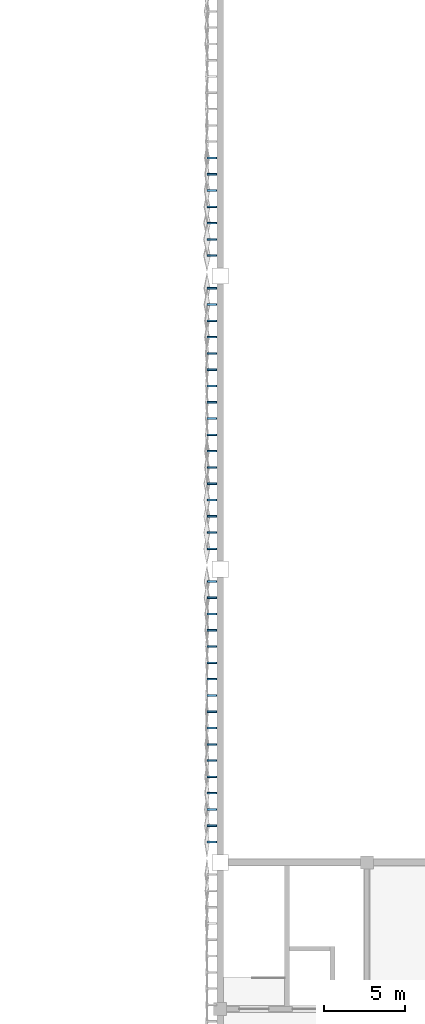
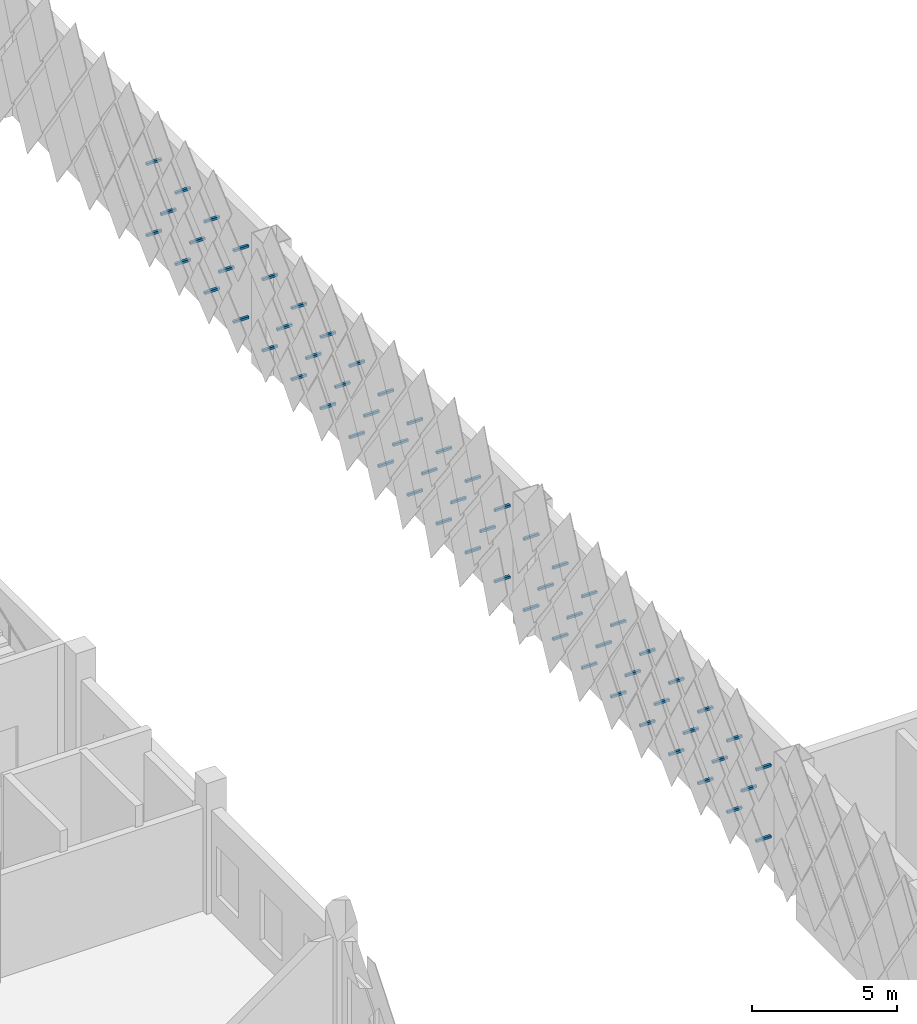
# One storey, part 139 of 185: 63 discrete accessories.
"""IFC4 building model written with IfcOpenShell, lengths in metres."""

from ifc_helpers import new_model, si_unit, direction, frame, origin, place, context, subcontext, project, spatial, polyline, outline, extrude, material, type_object, element, save


model = new_model("IFC4")

# Units and contexts
model_context = context("Model", 3, precision=1e-05, world=origin(), true_north=direction((0.0, 1.0)))
body_context = subcontext(model_context, "Body", "Model", "MODEL_VIEW")
ifc_project = project(units=[si_unit("LENGTHUNIT", "METRE"), si_unit("AREAUNIT", "SQUARE_METRE"), si_unit("VOLUMEUNIT", "CUBIC_METRE"), si_unit("PLANEANGLEUNIT", "RADIAN"), si_unit("MASSUNIT", "GRAM", prefix="KILO")], contexts=[model_context])

# Site, building, storey
site_placement = place(None, origin())
site = spatial("IfcSite", under=ifc_project, at=site_placement, CompositionType="ELEMENT")
building_placement = place(site_placement, origin())
building = spatial("IfcBuilding", under=site, at=building_placement, Name="Opaline Strait Convention Centre", CompositionType="ELEMENT")
storey_placement = place(building_placement, frame((0.0, 0.0, 6.0)))
storey = spatial("IfcBuildingStorey", under=building, at=storey_placement, Name="L01", CompositionType="ELEMENT", Elevation=6.0)

# Discrete accessories
ifc_material = material(Name="Steel Q355B", Category="steel")
discrete_accessory_type = type_object("IfcDiscreteAccessoryType", Name="Tile bracket 100x100 steel", PredefinedType="BRACKET", material=ifc_material)
discrete_accessory_1_placement = place(storey_placement, frame((98.800048828125, 115.300048828125, 1.39208984375), z_axis=(0.0, -1.0, 0.0), x_axis=(1.0, 0.0, 0.0)))
element("IfcDiscreteAccessory", 1, at=discrete_accessory_1_placement, inside=storey, type_object=discrete_accessory_type, Name="Tile bracket XT13 W", PredefinedType="BRACKET", context=body_context, shape_type="SweptSolid", body=[
    extrude(outline(polyline([(0.0, -0.050048828125), (0.0, 0.050048828125), (-0.605712890625, 0.050048828125), (-0.59423828125, -0.050048828125), (0.0, -0.050048828125)])), origin(), (0.0, 0.0, 1.0), 0.10009765625),
])
discrete_accessory_2_placement = place(storey_placement, frame((98.800048828125, 113.300048828125, 1.39208984375), z_axis=(0.0, -1.0, 0.0), x_axis=(1.0, 0.0, 0.0)))
element("IfcDiscreteAccessory", 2, at=discrete_accessory_2_placement, inside=storey, type_object=discrete_accessory_type, Name="Tile bracket XT15 W", PredefinedType="BRACKET", context=body_context, shape_type="SweptSolid", body=[
    extrude(outline(polyline([(0.0, -0.050048828125), (0.0, 0.050048828125), (-0.606689453125, 0.050048828125), (-0.593505859375, -0.050048828125), (0.0, -0.050048828125)])), origin(), (0.0, 0.0, 1.0), 0.10009765625),
])
discrete_accessory_3_placement = place(storey_placement, frame((98.800048828125, 111.300048828125, 1.39208984375), z_axis=(0.0, -1.0, 0.0), x_axis=(1.0, 0.0, 0.0)))
element("IfcDiscreteAccessory", 3, at=discrete_accessory_3_placement, inside=storey, type_object=discrete_accessory_type, Name="Tile bracket XT17 W", PredefinedType="BRACKET", context=body_context, shape_type="SweptSolid", body=[
    extrude(outline(polyline([(0.0, -0.050048828125), (0.0, 0.050048828125), (-0.607421875, 0.050048828125), (-0.592529296875, -0.050048828125), (0.0, -0.050048828125)])), origin(), (0.0, 0.0, 1.0), 0.10009765625),
])
discrete_accessory_4_placement = place(storey_placement, frame((98.800048828125, 109.300048828125, 1.39208984375), z_axis=(0.0, -1.0, 0.0), x_axis=(1.0, 0.0, 0.0)))
element("IfcDiscreteAccessory", 4, at=discrete_accessory_4_placement, inside=storey, type_object=discrete_accessory_type, Name="Tile bracket XT16 W", PredefinedType="BRACKET", context=body_context, shape_type="SweptSolid", body=[
    extrude(outline(polyline([(0.0, -0.050048828125), (0.0, 0.050048828125), (-0.60693359375, 0.050048828125), (-0.593017578125, -0.050048828125), (0.0, -0.050048828125)])), origin(), (0.0, 0.0, 1.0), 0.10009765625),
])
discrete_accessory_5_placement = place(storey_placement, frame((98.800048828125, 107.300048828125, 1.39208984375), z_axis=(0.0, -1.0, 0.0), x_axis=(1.0, 0.0, 0.0)))
element("IfcDiscreteAccessory", 5, at=discrete_accessory_5_placement, inside=storey, type_object=discrete_accessory_type, Name="Tile bracket XT13 W", PredefinedType="BRACKET", context=body_context, shape_type="SweptSolid", body=[
    extrude(outline(polyline([(0.0, -0.050048828125), (0.0, 0.050048828125), (-0.605712890625, 0.050048828125), (-0.59423828125, -0.050048828125), (0.0, -0.050048828125)])), origin(), (0.0, 0.0, 1.0), 0.10009765625),
])
discrete_accessory_6_placement = place(storey_placement, frame((98.800048828125, 105.300048828125, 1.39208984375), z_axis=(0.0, -1.0, 0.0), x_axis=(1.0, 0.0, 0.0)))
element("IfcDiscreteAccessory", 6, at=discrete_accessory_6_placement, inside=storey, type_object=discrete_accessory_type, Name="Tile bracket XT08 W", PredefinedType="BRACKET", context=body_context, shape_type="SweptSolid", body=[
    extrude(outline(polyline([(0.0, -0.050048828125), (0.0, 0.050048828125), (-0.603515625, 0.050048828125), (-0.596435546875, -0.050048828125), (0.0, -0.050048828125)])), origin(), (0.0, 0.0, 1.0), 0.10009765625),
])
discrete_accessory_7_placement = place(storey_placement, frame((98.800048828125, 103.300048828125, 1.39208984375), z_axis=(0.0, -1.0, 0.0), x_axis=(1.0, 0.0, 0.0)))
element("IfcDiscreteAccessory", 7, at=discrete_accessory_7_placement, inside=storey, type_object=discrete_accessory_type, Name="Tile bracket XT06 W", PredefinedType="BRACKET", context=body_context, shape_type="SweptSolid", body=[
    extrude(outline(polyline([(0.0, -0.050048828125), (0.0, 0.050048828125), (-0.6025390625, 0.050048828125), (-0.597412109375, -0.050048828125), (0.0, -0.050048828125)])), origin(), (0.0, 0.0, 1.0), 0.10009765625),
])
discrete_accessory_8_placement = place(storey_placement, frame((98.800048828125, 101.300048828125, 1.39208984375), z_axis=(0.0, -1.0, 0.0), x_axis=(1.0, 0.0, 0.0)))
element("IfcDiscreteAccessory", 8, at=discrete_accessory_8_placement, inside=storey, type_object=discrete_accessory_type, Name="Tile bracket XT06 W", PredefinedType="BRACKET", context=body_context, shape_type="SweptSolid", body=[
    extrude(outline(polyline([(0.0, -0.050048828125), (0.0, 0.050048828125), (-0.597412109375, 0.050048828125), (-0.6025390625, -0.050048828125), (0.0, -0.050048828125)])), origin(), (0.0, 0.0, 1.0), 0.10009765625),
])
discrete_accessory_9_placement = place(storey_placement, frame((98.800048828125, 99.300048828125, 1.39208984375), z_axis=(0.0, -1.0, 0.0), x_axis=(1.0, 0.0, 0.0)))
element("IfcDiscreteAccessory", 9, at=discrete_accessory_9_placement, inside=storey, type_object=discrete_accessory_type, Name="Tile bracket XT09 W", PredefinedType="BRACKET", context=body_context, shape_type="SweptSolid", body=[
    extrude(outline(polyline([(0.0, -0.050048828125), (0.0, 0.050048828125), (-0.595947265625, 0.050048828125), (-0.60400390625, -0.050048828125), (0.0, -0.050048828125)])), origin(), (0.0, 0.0, 1.0), 0.10009765625),
])
discrete_accessory_10_placement = place(storey_placement, frame((98.800048828125, 97.300048828125, 1.39208984375), z_axis=(0.0, -1.0, 0.0), x_axis=(1.0, 0.0, 0.0)))
element("IfcDiscreteAccessory", 10, at=discrete_accessory_10_placement, inside=storey, type_object=discrete_accessory_type, Name="Tile bracket XT13 W", PredefinedType="BRACKET", context=body_context, shape_type="SweptSolid", body=[
    extrude(outline(polyline([(0.0, -0.050048828125), (0.0, 0.050048828125), (-0.59423828125, 0.050048828125), (-0.605712890625, -0.050048828125), (0.0, -0.050048828125)])), origin(), (0.0, 0.0, 1.0), 0.10009765625),
])
for number, where, z_axis, x_axis, name in (
    (11, (98.800048828125, 95.300048828125, 1.39208984375), (0.0, -1.0, 0.0), (1.0, 0.0, 0.0), "Tile bracket XT16 W"),
    (12, (98.800048828125, 93.300048828125, 1.39208984375), (0.0, -1.0, 0.0), (1.0, 0.0, 0.0), "Tile bracket XT16 W"),
):
    element("IfcDiscreteAccessory", number, at=place(storey_placement, frame(where, z_axis=z_axis, x_axis=x_axis)), inside=storey, type_object=discrete_accessory_type, Name=name, PredefinedType="BRACKET", context=body_context, shape_type="SweptSolid", body=[
        extrude(outline(polyline([(0.0, -0.050048828125), (0.0, 0.050048828125), (-0.593017578125, 0.050048828125), (-0.60693359375, -0.050048828125), (0.0, -0.050048828125)])), origin(), (0.0, 0.0, 1.0), 0.10009765625),
    ])
discrete_accessory_11_placement = place(storey_placement, frame((98.800048828125, 91.300048828125, 1.39208984375), z_axis=(0.0, -1.0, 0.0), x_axis=(1.0, 0.0, 0.0)))
element("IfcDiscreteAccessory", 13, at=discrete_accessory_11_placement, inside=storey, type_object=discrete_accessory_type, Name="Tile bracket XT15 W", PredefinedType="BRACKET", context=body_context, shape_type="SweptSolid", body=[
    extrude(outline(polyline([(0.0, -0.050048828125), (0.0, 0.050048828125), (-0.593505859375, 0.050048828125), (-0.606689453125, -0.050048828125), (0.0, -0.050048828125)])), origin(), (0.0, 0.0, 1.0), 0.10009765625),
])
discrete_accessory_12_placement = place(storey_placement, frame((98.800048828125, 89.300048828125, 1.39208984375), z_axis=(0.0, -1.0, 0.0), x_axis=(1.0, 0.0, 0.0)))
element("IfcDiscreteAccessory", 14, at=discrete_accessory_12_placement, inside=storey, type_object=discrete_accessory_type, Name="Tile bracket XT12 W", PredefinedType="BRACKET", context=body_context, shape_type="SweptSolid", body=[
    extrude(outline(polyline([(0.0, -0.050048828125), (0.0, 0.050048828125), (-0.5947265625, 0.050048828125), (-0.605224609375, -0.050048828125), (0.0, -0.050048828125)])), origin(), (0.0, 0.0, 1.0), 0.10009765625),
])
discrete_accessory_13_placement = place(storey_placement, frame((98.800048828125, 87.300048828125, 1.39208984375), z_axis=(0.0, -1.0, 0.0), x_axis=(1.0, 0.0, 0.0)))
element("IfcDiscreteAccessory", 15, at=discrete_accessory_13_placement, inside=storey, type_object=discrete_accessory_type, Name="Tile bracket XT07 W", PredefinedType="BRACKET", context=body_context, shape_type="SweptSolid", body=[
    extrude(outline(polyline([(0.0, -0.050048828125), (0.0, 0.050048828125), (-0.596923828125, 0.050048828125), (-0.60302734375, -0.050048828125), (0.0, -0.050048828125)])), origin(), (0.0, 0.0, 1.0), 0.10009765625),
])
discrete_accessory_14_placement = place(storey_placement, frame((98.800048828125, 85.300048828125, 1.39208984375), z_axis=(0.0, -1.0, 0.0), x_axis=(1.0, 0.0, 0.0)))
element("IfcDiscreteAccessory", 16, at=discrete_accessory_14_placement, inside=storey, type_object=discrete_accessory_type, Name="Tile bracket XT05 W", PredefinedType="BRACKET", context=body_context, shape_type="SweptSolid", body=[
    extrude(outline(polyline([(0.0, -0.050048828125), (0.0, 0.050048828125), (-0.597900390625, 0.050048828125), (-0.602294921875, -0.050048828125), (0.0, -0.050048828125)])), origin(), (0.0, 0.0, 1.0), 0.10009765625),
])
discrete_accessory_15_placement = place(storey_placement, frame((98.800048828125, 83.300048828125, 1.39208984375), z_axis=(0.0, -1.0, 0.0), x_axis=(1.0, 0.0, 0.0)))
element("IfcDiscreteAccessory", 17, at=discrete_accessory_15_placement, inside=storey, type_object=discrete_accessory_type, Name="Tile bracket XT05 W", PredefinedType="BRACKET", context=body_context, shape_type="SweptSolid", body=[
    extrude(outline(polyline([(0.0, -0.050048828125), (0.0, 0.050048828125), (-0.602294921875, 0.050048828125), (-0.597900390625, -0.050048828125), (0.0, -0.050048828125)])), origin(), (0.0, 0.0, 1.0), 0.10009765625),
])
discrete_accessory_16_placement = place(storey_placement, frame((98.800048828125, 81.300048828125, 1.39208984375), z_axis=(0.0, -1.0, 0.0), x_axis=(1.0, 0.0, 0.0)))
element("IfcDiscreteAccessory", 18, at=discrete_accessory_16_placement, inside=storey, type_object=discrete_accessory_type, Name="Tile bracket XT07 W", PredefinedType="BRACKET", context=body_context, shape_type="SweptSolid", body=[
    extrude(outline(polyline([(0.0, -0.050048828125), (0.0, 0.050048828125), (-0.60302734375, 0.050048828125), (-0.596923828125, -0.050048828125), (0.0, -0.050048828125)])), origin(), (0.0, 0.0, 1.0), 0.10009765625),
])
discrete_accessory_17_placement = place(storey_placement, frame((98.800048828125, 79.300048828125, 1.39208984375), z_axis=(0.0, -1.0, 0.0), x_axis=(1.0, 0.0, 0.0)))
element("IfcDiscreteAccessory", 19, at=discrete_accessory_17_placement, inside=storey, type_object=discrete_accessory_type, Name="Tile bracket XT11 W", PredefinedType="BRACKET", context=body_context, shape_type="SweptSolid", body=[
    extrude(outline(polyline([(0.0, -0.050048828125), (0.0, 0.050048828125), (-0.604736328125, 0.050048828125), (-0.59521484375, -0.050048828125), (0.0, -0.050048828125)])), origin(), (0.0, 0.0, 1.0), 0.10009765625),
])
discrete_accessory_18_placement = place(storey_placement, frame((98.800048828125, 77.300048828125, 1.39208984375), z_axis=(0.0, -1.0, 0.0), x_axis=(1.0, 0.0, 0.0)))
element("IfcDiscreteAccessory", 20, at=discrete_accessory_18_placement, inside=storey, type_object=discrete_accessory_type, Name="Tile bracket XT12 W", PredefinedType="BRACKET", context=body_context, shape_type="SweptSolid", body=[
    extrude(outline(polyline([(0.0, -0.050048828125), (0.0, 0.050048828125), (-0.605224609375, 0.050048828125), (-0.5947265625, -0.050048828125), (0.0, -0.050048828125)])), origin(), (0.0, 0.0, 1.0), 0.10009765625),
])
discrete_accessory_19_placement = place(storey_placement, frame((98.800048828125, 75.300048828125, 1.39208984375), z_axis=(0.0, -1.0, 0.0), x_axis=(1.0, 0.0, 0.0)))
element("IfcDiscreteAccessory", 21, at=discrete_accessory_19_placement, inside=storey, type_object=discrete_accessory_type, Name="Tile bracket XT13 W", PredefinedType="BRACKET", context=body_context, shape_type="SweptSolid", body=[
    extrude(outline(polyline([(0.0, -0.050048828125), (0.0, 0.050048828125), (-0.605712890625, 0.050048828125), (-0.59423828125, -0.050048828125), (0.0, -0.050048828125)])), origin(), (0.0, 0.0, 1.0), 0.10009765625),
])
discrete_accessory_20_placement = place(storey_placement, frame((98.800048828125, 73.300048828125, 1.39208984375), z_axis=(0.0, -1.0, 0.0), x_axis=(1.0, 0.0, 0.0)))
element("IfcDiscreteAccessory", 22, at=discrete_accessory_20_placement, inside=storey, type_object=discrete_accessory_type, Name="Tile bracket XT11 W", PredefinedType="BRACKET", context=body_context, shape_type="SweptSolid", body=[
    extrude(outline(polyline([(0.0, -0.050048828125), (0.0, 0.050048828125), (-0.604736328125, 0.050048828125), (-0.59521484375, -0.050048828125), (0.0, -0.050048828125)])), origin(), (0.0, 0.0, 1.0), 0.10009765625),
])
discrete_accessory_21_placement = place(storey_placement, frame((98.800048828125, 114.300048828125, 2.89208984375), z_axis=(0.0, -1.0, 0.0), x_axis=(1.0, 0.0, 0.0)))
element("IfcDiscreteAccessory", 23, at=discrete_accessory_21_placement, inside=storey, type_object=discrete_accessory_type, Name="Tile bracket XT12 W", PredefinedType="BRACKET", context=body_context, shape_type="SweptSolid", body=[
    extrude(outline(polyline([(0.0, -0.050048828125), (0.0, 0.050048828125), (-0.605224609375, 0.050048828125), (-0.5947265625, -0.050048828125), (0.0, -0.050048828125)])), origin(), (0.0, 0.0, 1.0), 0.10009765625),
])
discrete_accessory_22_placement = place(storey_placement, frame((98.800048828125, 112.300048828125, 2.89208984375), z_axis=(0.0, -1.0, 0.0), x_axis=(1.0, 0.0, 0.0)))
element("IfcDiscreteAccessory", 24, at=discrete_accessory_22_placement, inside=storey, type_object=discrete_accessory_type, Name="Tile bracket XT16 W", PredefinedType="BRACKET", context=body_context, shape_type="SweptSolid", body=[
    extrude(outline(polyline([(0.0, -0.050048828125), (0.0, 0.050048828125), (-0.60693359375, 0.050048828125), (-0.593017578125, -0.050048828125), (0.0, -0.050048828125)])), origin(), (0.0, 0.0, 1.0), 0.10009765625),
])
discrete_accessory_23_placement = place(storey_placement, frame((98.800048828125, 110.300048828125, 2.89208984375), z_axis=(0.0, -1.0, 0.0), x_axis=(1.0, 0.0, 0.0)))
element("IfcDiscreteAccessory", 25, at=discrete_accessory_23_placement, inside=storey, type_object=discrete_accessory_type, Name="Tile bracket XT17 W", PredefinedType="BRACKET", context=body_context, shape_type="SweptSolid", body=[
    extrude(outline(polyline([(0.0, -0.050048828125), (0.0, 0.050048828125), (-0.607421875, 0.050048828125), (-0.592529296875, -0.050048828125), (0.0, -0.050048828125)])), origin(), (0.0, 0.0, 1.0), 0.10009765625),
])
discrete_accessory_24_placement = place(storey_placement, frame((98.800048828125, 106.300048828125, 2.89208984375), z_axis=(0.0, -1.0, 0.0), x_axis=(1.0, 0.0, 0.0)))
element("IfcDiscreteAccessory", 26, at=discrete_accessory_24_placement, inside=storey, type_object=discrete_accessory_type, Name="Tile bracket XT13 W", PredefinedType="BRACKET", context=body_context, shape_type="SweptSolid", body=[
    extrude(outline(polyline([(0.0, -0.050048828125), (0.0, 0.050048828125), (-0.605712890625, 0.050048828125), (-0.59423828125, -0.050048828125), (0.0, -0.050048828125)])), origin(), (0.0, 0.0, 1.0), 0.10009765625),
])
discrete_accessory_25_placement = place(storey_placement, frame((98.800048828125, 104.300048828125, 2.89208984375), z_axis=(0.0, -1.0, 0.0), x_axis=(1.0, 0.0, 0.0)))
element("IfcDiscreteAccessory", 27, at=discrete_accessory_25_placement, inside=storey, type_object=discrete_accessory_type, Name="Tile bracket XT08 W", PredefinedType="BRACKET", context=body_context, shape_type="SweptSolid", body=[
    extrude(outline(polyline([(0.0, -0.050048828125), (0.0, 0.050048828125), (-0.603515625, 0.050048828125), (-0.596435546875, -0.050048828125), (0.0, -0.050048828125)])), origin(), (0.0, 0.0, 1.0), 0.10009765625),
])
discrete_accessory_26_placement = place(storey_placement, frame((98.800048828125, 102.300048828125, 2.89208984375), z_axis=(0.0, -1.0, 0.0), x_axis=(1.0, 0.0, 0.0)))
element("IfcDiscreteAccessory", 28, at=discrete_accessory_26_placement, inside=storey, type_object=discrete_accessory_type, Name="Tile bracket XT06 W", PredefinedType="BRACKET", context=body_context, shape_type="SweptSolid", body=[
    extrude(outline(polyline([(0.0, -0.050048828125), (0.0, 0.050048828125), (-0.6025390625, 0.050048828125), (-0.597412109375, -0.050048828125), (0.0, -0.050048828125)])), origin(), (0.0, 0.0, 1.0), 0.10009765625),
])
discrete_accessory_27_placement = place(storey_placement, frame((98.800048828125, 100.300048828125, 2.89208984375), z_axis=(0.0, -1.0, 0.0), x_axis=(1.0, 0.0, 0.0)))
element("IfcDiscreteAccessory", 29, at=discrete_accessory_27_placement, inside=storey, type_object=discrete_accessory_type, Name="Tile bracket XT06 W", PredefinedType="BRACKET", context=body_context, shape_type="SweptSolid", body=[
    extrude(outline(polyline([(0.0, -0.050048828125), (0.0, 0.050048828125), (-0.597412109375, 0.050048828125), (-0.6025390625, -0.050048828125), (0.0, -0.050048828125)])), origin(), (0.0, 0.0, 1.0), 0.10009765625),
])
discrete_accessory_28_placement = place(storey_placement, frame((98.800048828125, 98.300048828125, 2.89208984375), z_axis=(0.0, -1.0, 0.0), x_axis=(1.0, 0.0, 0.0)))
element("IfcDiscreteAccessory", 30, at=discrete_accessory_28_placement, inside=storey, type_object=discrete_accessory_type, Name="Tile bracket XT09 W", PredefinedType="BRACKET", context=body_context, shape_type="SweptSolid", body=[
    extrude(outline(polyline([(0.0, -0.050048828125), (0.0, 0.050048828125), (-0.595947265625, 0.050048828125), (-0.60400390625, -0.050048828125), (0.0, -0.050048828125)])), origin(), (0.0, 0.0, 1.0), 0.10009765625),
])
discrete_accessory_29_placement = place(storey_placement, frame((98.800048828125, 96.300048828125, 2.89208984375), z_axis=(0.0, -1.0, 0.0), x_axis=(1.0, 0.0, 0.0)))
element("IfcDiscreteAccessory", 31, at=discrete_accessory_29_placement, inside=storey, type_object=discrete_accessory_type, Name="Tile bracket XT13 W", PredefinedType="BRACKET", context=body_context, shape_type="SweptSolid", body=[
    extrude(outline(polyline([(0.0, -0.050048828125), (0.0, 0.050048828125), (-0.59423828125, 0.050048828125), (-0.605712890625, -0.050048828125), (0.0, -0.050048828125)])), origin(), (0.0, 0.0, 1.0), 0.10009765625),
])
for number, where, z_axis, x_axis, name in (
    (32, (98.800048828125, 94.300048828125, 2.89208984375), (0.0, -1.0, 0.0), (1.0, 0.0, 0.0), "Tile bracket XT16 W"),
    (33, (98.800048828125, 92.300048828125, 2.89208984375), (0.0, -1.0, 0.0), (1.0, 0.0, 0.0), "Tile bracket XT16 W"),
):
    element("IfcDiscreteAccessory", number, at=place(storey_placement, frame(where, z_axis=z_axis, x_axis=x_axis)), inside=storey, type_object=discrete_accessory_type, Name=name, PredefinedType="BRACKET", context=body_context, shape_type="SweptSolid", body=[
        extrude(outline(polyline([(0.0, -0.050048828125), (0.0, 0.050048828125), (-0.593017578125, 0.050048828125), (-0.60693359375, -0.050048828125), (0.0, -0.050048828125)])), origin(), (0.0, 0.0, 1.0), 0.10009765625),
    ])
discrete_accessory_30_placement = place(storey_placement, frame((98.800048828125, 88.300048828125, 2.89208984375), z_axis=(0.0, -1.0, 0.0), x_axis=(1.0, 0.0, 0.0)))
element("IfcDiscreteAccessory", 34, at=discrete_accessory_30_placement, inside=storey, type_object=discrete_accessory_type, Name="Tile bracket XT12 W", PredefinedType="BRACKET", context=body_context, shape_type="SweptSolid", body=[
    extrude(outline(polyline([(0.0, -0.050048828125), (0.0, 0.050048828125), (-0.5947265625, 0.050048828125), (-0.605224609375, -0.050048828125), (0.0, -0.050048828125)])), origin(), (0.0, 0.0, 1.0), 0.10009765625),
])
discrete_accessory_31_placement = place(storey_placement, frame((98.800048828125, 86.300048828125, 2.89208984375), z_axis=(0.0, -1.0, 0.0), x_axis=(1.0, 0.0, 0.0)))
element("IfcDiscreteAccessory", 35, at=discrete_accessory_31_placement, inside=storey, type_object=discrete_accessory_type, Name="Tile bracket XT07 W", PredefinedType="BRACKET", context=body_context, shape_type="SweptSolid", body=[
    extrude(outline(polyline([(0.0, -0.050048828125), (0.0, 0.050048828125), (-0.596923828125, 0.050048828125), (-0.60302734375, -0.050048828125), (0.0, -0.050048828125)])), origin(), (0.0, 0.0, 1.0), 0.10009765625),
])
discrete_accessory_32_placement = place(storey_placement, frame((98.800048828125, 84.300048828125, 2.89208984375), z_axis=(0.0, -1.0, 0.0), x_axis=(1.0, 0.0, 0.0)))
element("IfcDiscreteAccessory", 36, at=discrete_accessory_32_placement, inside=storey, type_object=discrete_accessory_type, Name="Tile bracket XT05 W", PredefinedType="BRACKET", context=body_context, shape_type="SweptSolid", body=[
    extrude(outline(polyline([(0.0, -0.050048828125), (0.0, 0.050048828125), (-0.597900390625, 0.050048828125), (-0.602294921875, -0.050048828125), (0.0, -0.050048828125)])), origin(), (0.0, 0.0, 1.0), 0.10009765625),
])
discrete_accessory_33_placement = place(storey_placement, frame((98.800048828125, 82.300048828125, 2.89208984375), z_axis=(0.0, -1.0, 0.0), x_axis=(1.0, 0.0, 0.0)))
element("IfcDiscreteAccessory", 37, at=discrete_accessory_33_placement, inside=storey, type_object=discrete_accessory_type, Name="Tile bracket XT05 W", PredefinedType="BRACKET", context=body_context, shape_type="SweptSolid", body=[
    extrude(outline(polyline([(0.0, -0.050048828125), (0.0, 0.050048828125), (-0.602294921875, 0.050048828125), (-0.597900390625, -0.050048828125), (0.0, -0.050048828125)])), origin(), (0.0, 0.0, 1.0), 0.10009765625),
])
discrete_accessory_34_placement = place(storey_placement, frame((98.800048828125, 80.300048828125, 2.89208984375), z_axis=(0.0, -1.0, 0.0), x_axis=(1.0, 0.0, 0.0)))
element("IfcDiscreteAccessory", 38, at=discrete_accessory_34_placement, inside=storey, type_object=discrete_accessory_type, Name="Tile bracket XT07 W", PredefinedType="BRACKET", context=body_context, shape_type="SweptSolid", body=[
    extrude(outline(polyline([(0.0, -0.050048828125), (0.0, 0.050048828125), (-0.60302734375, 0.050048828125), (-0.596923828125, -0.050048828125), (0.0, -0.050048828125)])), origin(), (0.0, 0.0, 1.0), 0.10009765625),
])
discrete_accessory_35_placement = place(storey_placement, frame((98.800048828125, 78.300048828125, 2.89208984375), z_axis=(0.0, -1.0, 0.0), x_axis=(1.0, 0.0, 0.0)))
element("IfcDiscreteAccessory", 39, at=discrete_accessory_35_placement, inside=storey, type_object=discrete_accessory_type, Name="Tile bracket XT11 W", PredefinedType="BRACKET", context=body_context, shape_type="SweptSolid", body=[
    extrude(outline(polyline([(0.0, -0.050048828125), (0.0, 0.050048828125), (-0.604736328125, 0.050048828125), (-0.59521484375, -0.050048828125), (0.0, -0.050048828125)])), origin(), (0.0, 0.0, 1.0), 0.10009765625),
])
discrete_accessory_36_placement = place(storey_placement, frame((98.800048828125, 76.300048828125, 2.89208984375), z_axis=(0.0, -1.0, 0.0), x_axis=(1.0, 0.0, 0.0)))
element("IfcDiscreteAccessory", 40, at=discrete_accessory_36_placement, inside=storey, type_object=discrete_accessory_type, Name="Tile bracket XT12 W", PredefinedType="BRACKET", context=body_context, shape_type="SweptSolid", body=[
    extrude(outline(polyline([(0.0, -0.050048828125), (0.0, 0.050048828125), (-0.605224609375, 0.050048828125), (-0.5947265625, -0.050048828125), (0.0, -0.050048828125)])), origin(), (0.0, 0.0, 1.0), 0.10009765625),
])
discrete_accessory_37_placement = place(storey_placement, frame((98.800048828125, 74.300048828125, 2.89208984375), z_axis=(0.0, -1.0, 0.0), x_axis=(1.0, 0.0, 0.0)))
element("IfcDiscreteAccessory", 41, at=discrete_accessory_37_placement, inside=storey, type_object=discrete_accessory_type, Name="Tile bracket XT13 W", PredefinedType="BRACKET", context=body_context, shape_type="SweptSolid", body=[
    extrude(outline(polyline([(0.0, -0.050048828125), (0.0, 0.050048828125), (-0.605712890625, 0.050048828125), (-0.59423828125, -0.050048828125), (0.0, -0.050048828125)])), origin(), (0.0, 0.0, 1.0), 0.10009765625),
])
discrete_accessory_38_placement = place(storey_placement, frame((98.800048828125, 115.300048828125, 4.39208984375), z_axis=(0.0, -1.0, 0.0), x_axis=(1.0, 0.0, 0.0)))
element("IfcDiscreteAccessory", 42, at=discrete_accessory_38_placement, inside=storey, type_object=discrete_accessory_type, Name="Tile bracket XT08 W", PredefinedType="BRACKET", context=body_context, shape_type="SweptSolid", body=[
    extrude(outline(polyline([(0.0, -0.050048828125), (0.0, 0.050048828125), (-0.603515625, 0.050048828125), (-0.596435546875, -0.050048828125), (0.0, -0.050048828125)])), origin(), (0.0, 0.0, 1.0), 0.10009765625),
])
discrete_accessory_39_placement = place(storey_placement, frame((98.800048828125, 113.300048828125, 4.39208984375), z_axis=(0.0, -1.0, 0.0), x_axis=(1.0, 0.0, 0.0)))
element("IfcDiscreteAccessory", 43, at=discrete_accessory_39_placement, inside=storey, type_object=discrete_accessory_type, Name="Tile bracket XT12 W", PredefinedType="BRACKET", context=body_context, shape_type="SweptSolid", body=[
    extrude(outline(polyline([(0.0, -0.050048828125), (0.0, 0.050048828125), (-0.605224609375, 0.050048828125), (-0.5947265625, -0.050048828125), (0.0, -0.050048828125)])), origin(), (0.0, 0.0, 1.0), 0.10009765625),
])
discrete_accessory_40_placement = place(storey_placement, frame((98.800048828125, 111.300048828125, 4.39208984375), z_axis=(0.0, -1.0, 0.0), x_axis=(1.0, 0.0, 0.0)))
element("IfcDiscreteAccessory", 44, at=discrete_accessory_40_placement, inside=storey, type_object=discrete_accessory_type, Name="Tile bracket XT16 W", PredefinedType="BRACKET", context=body_context, shape_type="SweptSolid", body=[
    extrude(outline(polyline([(0.0, -0.050048828125), (0.0, 0.050048828125), (-0.60693359375, 0.050048828125), (-0.593017578125, -0.050048828125), (0.0, -0.050048828125)])), origin(), (0.0, 0.0, 1.0), 0.10009765625),
])
discrete_accessory_41_placement = place(storey_placement, frame((98.800048828125, 109.300048828125, 4.39208984375), z_axis=(0.0, -1.0, 0.0), x_axis=(1.0, 0.0, 0.0)))
element("IfcDiscreteAccessory", 45, at=discrete_accessory_41_placement, inside=storey, type_object=discrete_accessory_type, Name="Tile bracket XT17 W", PredefinedType="BRACKET", context=body_context, shape_type="SweptSolid", body=[
    extrude(outline(polyline([(0.0, -0.050048828125), (0.0, 0.050048828125), (-0.607421875, 0.050048828125), (-0.592529296875, -0.050048828125), (0.0, -0.050048828125)])), origin(), (0.0, 0.0, 1.0), 0.10009765625),
])
discrete_accessory_42_placement = place(storey_placement, frame((98.800048828125, 107.300048828125, 4.39208984375), z_axis=(0.0, -1.0, 0.0), x_axis=(1.0, 0.0, 0.0)))
element("IfcDiscreteAccessory", 46, at=discrete_accessory_42_placement, inside=storey, type_object=discrete_accessory_type, Name="Tile bracket XT16 W", PredefinedType="BRACKET", context=body_context, shape_type="SweptSolid", body=[
    extrude(outline(polyline([(0.0, -0.050048828125), (0.0, 0.050048828125), (-0.60693359375, 0.050048828125), (-0.593017578125, -0.050048828125), (0.0, -0.050048828125)])), origin(), (0.0, 0.0, 1.0), 0.10009765625),
])
discrete_accessory_43_placement = place(storey_placement, frame((98.800048828125, 105.300048828125, 4.39208984375), z_axis=(0.0, -1.0, 0.0), x_axis=(1.0, 0.0, 0.0)))
element("IfcDiscreteAccessory", 47, at=discrete_accessory_43_placement, inside=storey, type_object=discrete_accessory_type, Name="Tile bracket XT13 W", PredefinedType="BRACKET", context=body_context, shape_type="SweptSolid", body=[
    extrude(outline(polyline([(0.0, -0.050048828125), (0.0, 0.050048828125), (-0.605712890625, 0.050048828125), (-0.59423828125, -0.050048828125), (0.0, -0.050048828125)])), origin(), (0.0, 0.0, 1.0), 0.10009765625),
])
discrete_accessory_44_placement = place(storey_placement, frame((98.800048828125, 103.300048828125, 4.39208984375), z_axis=(0.0, -1.0, 0.0), x_axis=(1.0, 0.0, 0.0)))
element("IfcDiscreteAccessory", 48, at=discrete_accessory_44_placement, inside=storey, type_object=discrete_accessory_type, Name="Tile bracket XT09 W", PredefinedType="BRACKET", context=body_context, shape_type="SweptSolid", body=[
    extrude(outline(polyline([(0.0, -0.050048828125), (0.0, 0.050048828125), (-0.60400390625, 0.050048828125), (-0.595947265625, -0.050048828125), (0.0, -0.050048828125)])), origin(), (0.0, 0.0, 1.0), 0.10009765625),
])
discrete_accessory_45_placement = place(storey_placement, frame((98.800048828125, 101.300048828125, 4.39208984375), z_axis=(0.0, -1.0, 0.0), x_axis=(1.0, 0.0, 0.0)))
element("IfcDiscreteAccessory", 49, at=discrete_accessory_45_placement, inside=storey, type_object=discrete_accessory_type, Name="Tile bracket XT06 W", PredefinedType="BRACKET", context=body_context, shape_type="SweptSolid", body=[
    extrude(outline(polyline([(0.0, -0.050048828125), (0.0, 0.050048828125), (-0.6025390625, 0.050048828125), (-0.597412109375, -0.050048828125), (0.0, -0.050048828125)])), origin(), (0.0, 0.0, 1.0), 0.10009765625),
])
discrete_accessory_46_placement = place(storey_placement, frame((98.800048828125, 99.300048828125, 4.39208984375), z_axis=(0.0, -1.0, 0.0), x_axis=(1.0, 0.0, 0.0)))
element("IfcDiscreteAccessory", 50, at=discrete_accessory_46_placement, inside=storey, type_object=discrete_accessory_type, Name="Tile bracket XT06 W", PredefinedType="BRACKET", context=body_context, shape_type="SweptSolid", body=[
    extrude(outline(polyline([(0.0, -0.050048828125), (0.0, 0.050048828125), (-0.597412109375, 0.050048828125), (-0.6025390625, -0.050048828125), (0.0, -0.050048828125)])), origin(), (0.0, 0.0, 1.0), 0.10009765625),
])
discrete_accessory_47_placement = place(storey_placement, frame((98.800048828125, 97.300048828125, 4.39208984375), z_axis=(0.0, -1.0, 0.0), x_axis=(1.0, 0.0, 0.0)))
element("IfcDiscreteAccessory", 51, at=discrete_accessory_47_placement, inside=storey, type_object=discrete_accessory_type, Name="Tile bracket XT08 W", PredefinedType="BRACKET", context=body_context, shape_type="SweptSolid", body=[
    extrude(outline(polyline([(0.0, -0.050048828125), (0.0, 0.050048828125), (-0.596435546875, 0.050048828125), (-0.603515625, -0.050048828125), (0.0, -0.050048828125)])), origin(), (0.0, 0.0, 1.0), 0.10009765625),
])
discrete_accessory_48_placement = place(storey_placement, frame((98.800048828125, 95.300048828125, 4.39208984375), z_axis=(0.0, -1.0, 0.0), x_axis=(1.0, 0.0, 0.0)))
element("IfcDiscreteAccessory", 52, at=discrete_accessory_48_placement, inside=storey, type_object=discrete_accessory_type, Name="Tile bracket XT13 W", PredefinedType="BRACKET", context=body_context, shape_type="SweptSolid", body=[
    extrude(outline(polyline([(0.0, -0.050048828125), (0.0, 0.050048828125), (-0.59423828125, 0.050048828125), (-0.605712890625, -0.050048828125), (0.0, -0.050048828125)])), origin(), (0.0, 0.0, 1.0), 0.10009765625),
])
discrete_accessory_49_placement = place(storey_placement, frame((98.800048828125, 93.300048828125, 4.39208984375), z_axis=(0.0, -1.0, 0.0), x_axis=(1.0, 0.0, 0.0)))
element("IfcDiscreteAccessory", 53, at=discrete_accessory_49_placement, inside=storey, type_object=discrete_accessory_type, Name="Tile bracket XT15 W", PredefinedType="BRACKET", context=body_context, shape_type="SweptSolid", body=[
    extrude(outline(polyline([(0.0, -0.050048828125), (0.0, 0.050048828125), (-0.593505859375, 0.050048828125), (-0.606689453125, -0.050048828125), (0.0, -0.050048828125)])), origin(), (0.0, 0.0, 1.0), 0.10009765625),
])
discrete_accessory_50_placement = place(storey_placement, frame((98.800048828125, 91.300048828125, 4.39208984375), z_axis=(0.0, -1.0, 0.0), x_axis=(1.0, 0.0, 0.0)))
element("IfcDiscreteAccessory", 54, at=discrete_accessory_50_placement, inside=storey, type_object=discrete_accessory_type, Name="Tile bracket XT16 W", PredefinedType="BRACKET", context=body_context, shape_type="SweptSolid", body=[
    extrude(outline(polyline([(0.0, -0.050048828125), (0.0, 0.050048828125), (-0.593017578125, 0.050048828125), (-0.60693359375, -0.050048828125), (0.0, -0.050048828125)])), origin(), (0.0, 0.0, 1.0), 0.10009765625),
])
discrete_accessory_51_placement = place(storey_placement, frame((98.800048828125, 89.300048828125, 4.39208984375), z_axis=(0.0, -1.0, 0.0), x_axis=(1.0, 0.0, 0.0)))
element("IfcDiscreteAccessory", 55, at=discrete_accessory_51_placement, inside=storey, type_object=discrete_accessory_type, Name="Tile bracket XT15 W", PredefinedType="BRACKET", context=body_context, shape_type="SweptSolid", body=[
    extrude(outline(polyline([(0.0, -0.050048828125), (0.0, 0.050048828125), (-0.593505859375, 0.050048828125), (-0.606689453125, -0.050048828125), (0.0, -0.050048828125)])), origin(), (0.0, 0.0, 1.0), 0.10009765625),
])
discrete_accessory_52_placement = place(storey_placement, frame((98.800048828125, 87.300048828125, 4.39208984375), z_axis=(0.0, -1.0, 0.0), x_axis=(1.0, 0.0, 0.0)))
element("IfcDiscreteAccessory", 56, at=discrete_accessory_52_placement, inside=storey, type_object=discrete_accessory_type, Name="Tile bracket XT12 W", PredefinedType="BRACKET", context=body_context, shape_type="SweptSolid", body=[
    extrude(outline(polyline([(0.0, -0.050048828125), (0.0, 0.050048828125), (-0.5947265625, 0.050048828125), (-0.605224609375, -0.050048828125), (0.0, -0.050048828125)])), origin(), (0.0, 0.0, 1.0), 0.10009765625),
])
discrete_accessory_53_placement = place(storey_placement, frame((98.800048828125, 85.300048828125, 4.39208984375), z_axis=(0.0, -1.0, 0.0), x_axis=(1.0, 0.0, 0.0)))
element("IfcDiscreteAccessory", 57, at=discrete_accessory_53_placement, inside=storey, type_object=discrete_accessory_type, Name="Tile bracket XT08 W", PredefinedType="BRACKET", context=body_context, shape_type="SweptSolid", body=[
    extrude(outline(polyline([(0.0, -0.050048828125), (0.0, 0.050048828125), (-0.596435546875, 0.050048828125), (-0.603515625, -0.050048828125), (0.0, -0.050048828125)])), origin(), (0.0, 0.0, 1.0), 0.10009765625),
])
discrete_accessory_54_placement = place(storey_placement, frame((98.800048828125, 83.300048828125, 4.39208984375), z_axis=(0.0, -1.0, 0.0), x_axis=(1.0, 0.0, 0.0)))
element("IfcDiscreteAccessory", 58, at=discrete_accessory_54_placement, inside=storey, type_object=discrete_accessory_type, Name="Tile bracket XT05 W", PredefinedType="BRACKET", context=body_context, shape_type="SweptSolid", body=[
    extrude(outline(polyline([(0.0, -0.050048828125), (0.0, 0.050048828125), (-0.597900390625, 0.050048828125), (-0.602294921875, -0.050048828125), (0.0, -0.050048828125)])), origin(), (0.0, 0.0, 1.0), 0.10009765625),
])
discrete_accessory_55_placement = place(storey_placement, frame((98.800048828125, 81.300048828125, 4.39208984375), z_axis=(0.0, -1.0, 0.0), x_axis=(1.0, 0.0, 0.0)))
element("IfcDiscreteAccessory", 59, at=discrete_accessory_55_placement, inside=storey, type_object=discrete_accessory_type, Name="Tile bracket XT05 W", PredefinedType="BRACKET", context=body_context, shape_type="SweptSolid", body=[
    extrude(outline(polyline([(0.0, -0.050048828125), (0.0, 0.050048828125), (-0.602294921875, 0.050048828125), (-0.597900390625, -0.050048828125), (0.0, -0.050048828125)])), origin(), (0.0, 0.0, 1.0), 0.10009765625),
])
discrete_accessory_56_placement = place(storey_placement, frame((98.800048828125, 79.300048828125, 4.39208984375), z_axis=(0.0, -1.0, 0.0), x_axis=(1.0, 0.0, 0.0)))
element("IfcDiscreteAccessory", 60, at=discrete_accessory_56_placement, inside=storey, type_object=discrete_accessory_type, Name="Tile bracket XT07 W", PredefinedType="BRACKET", context=body_context, shape_type="SweptSolid", body=[
    extrude(outline(polyline([(0.0, -0.050048828125), (0.0, 0.050048828125), (-0.60302734375, 0.050048828125), (-0.596923828125, -0.050048828125), (0.0, -0.050048828125)])), origin(), (0.0, 0.0, 1.0), 0.10009765625),
])
discrete_accessory_57_placement = place(storey_placement, frame((98.800048828125, 77.300048828125, 4.39208984375), z_axis=(0.0, -1.0, 0.0), x_axis=(1.0, 0.0, 0.0)))
element("IfcDiscreteAccessory", 61, at=discrete_accessory_57_placement, inside=storey, type_object=discrete_accessory_type, Name="Tile bracket XT10 W", PredefinedType="BRACKET", context=body_context, shape_type="SweptSolid", body=[
    extrude(outline(polyline([(0.0, -0.050048828125), (0.0, 0.050048828125), (-0.604248046875, 0.050048828125), (-0.595703125, -0.050048828125), (0.0, -0.050048828125)])), origin(), (0.0, 0.0, 1.0), 0.10009765625),
])
for number, where, z_axis, x_axis, name in (
    (62, (98.800048828125, 75.300048828125, 4.39208984375), (0.0, -1.0, 0.0), (1.0, 0.0, 0.0), "Tile bracket XT12 W"),
    (63, (98.800048828125, 73.300048828125, 4.39208984375), (0.0, -1.0, 0.0), (1.0, 0.0, 0.0), "Tile bracket XT12 W"),
):
    element("IfcDiscreteAccessory", number, at=place(storey_placement, frame(where, z_axis=z_axis, x_axis=x_axis)), inside=storey, type_object=discrete_accessory_type, Name=name, PredefinedType="BRACKET", context=body_context, shape_type="SweptSolid", body=[
        extrude(outline(polyline([(0.0, -0.050048828125), (0.0, 0.050048828125), (-0.605224609375, 0.050048828125), (-0.5947265625, -0.050048828125), (0.0, -0.050048828125)])), origin(), (0.0, 0.0, 1.0), 0.10009765625),
    ])

save(model, "model.ifc")
